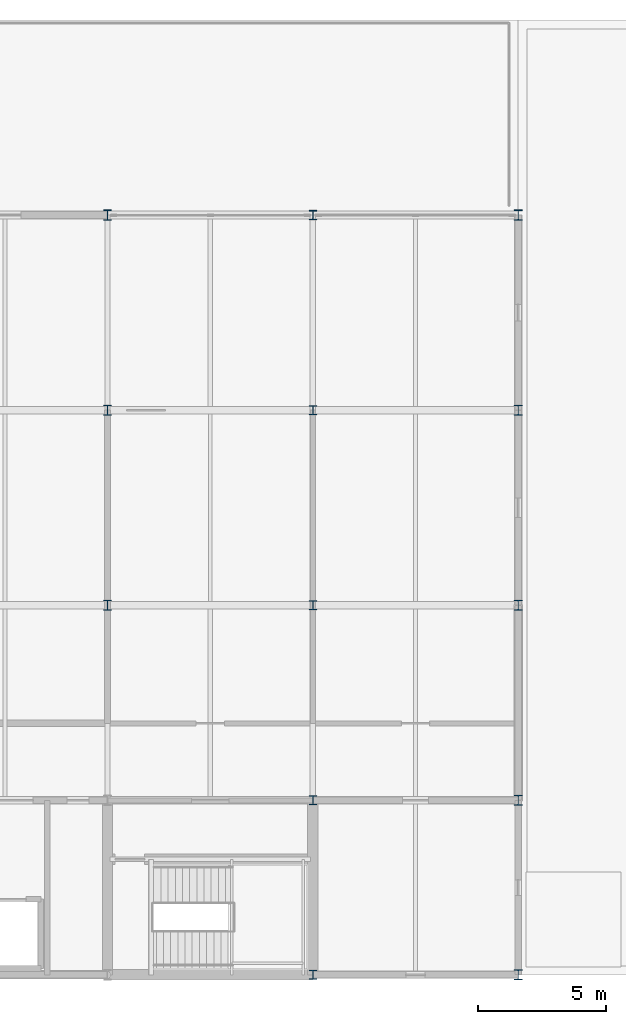
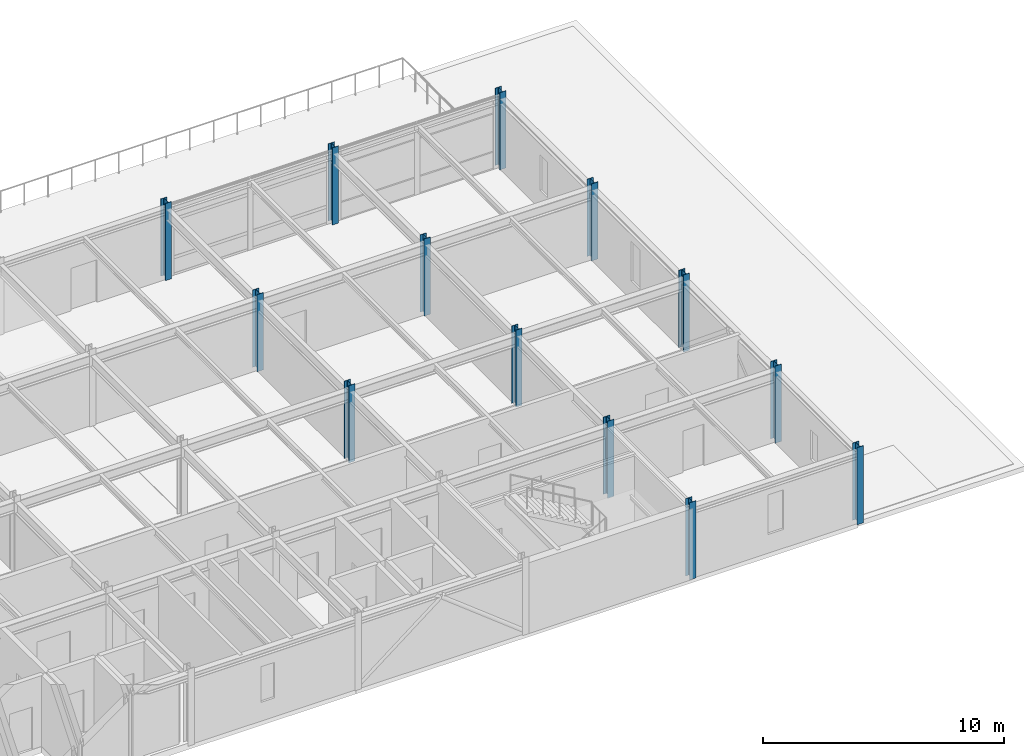
# One storey, part 2 of 12: 13 columns.
"""IFC4 building model written with IfcOpenShell, lengths in metres."""

from ifc_helpers import new_model, si_unit, direction, frame, origin, origin_2d, place, context, subcontext, project, spatial, i_section, extrude, material, material_profile, profile_set, type_object, element, save


model = new_model("IFC4")

# Units and contexts
model_context = context("Model", 3, precision=1e-05, world=origin(), true_north=direction((0.0, 1.0)))
body_context = subcontext(model_context, "Body", "Model", "MODEL_VIEW")
ifc_project = project(units=[si_unit("LENGTHUNIT", "METRE"), si_unit("AREAUNIT", "SQUARE_METRE"), si_unit("VOLUMEUNIT", "CUBIC_METRE"), si_unit("PLANEANGLEUNIT", "RADIAN"), si_unit("MASSUNIT", "GRAM", prefix="KILO")], contexts=[model_context])

# Site, building, storey
site_placement = place(None, origin())
site = spatial("IfcSite", under=ifc_project, at=site_placement, CompositionType="ELEMENT")
building_placement = place(site_placement, origin())
building = spatial("IfcBuilding", under=site, at=building_placement, Name="Shalkamar Park Central Library", CompositionType="ELEMENT")
storey_placement = place(building_placement, frame((0.0, 0.0, 56.10009765625)))
storey = spatial("IfcBuildingStorey", under=building, at=storey_placement, Name="L14", CompositionType="ELEMENT", Elevation=56.10009765625)

# Columns
ifc_material = material(Name="Steel S355", Category="steel")
ifc_material_profile_1 = material_profile(ifc_material, i_section(OverallWidth=0.300048828125, OverallDepth=0.360107421875, WebThickness=0.012451171875, FlangeThickness=0.0224609375, FilletRadius=0.027099609375, at=origin_2d()), Name="HEB 360")
ifc_profile_set_1 = profile_set([ifc_material_profile_1], Name="Steel S355")
column_type_1 = type_object("IfcColumnType", Name="Column Steel HEB360", PredefinedType="COLUMN", material=ifc_profile_set_1)
for number, where, z_axis, x_axis, name in (
    (1, (205.0, 248.39990234375, 0.0), (0.0, 0.0, 1.0), (1.0, 0.0, 0.0), "Column 12/B (L14)"),
    (2, (205.0, 255.199951171875, 0.0), (0.0, 0.0, 1.0), (1.0, 0.0, 0.0), "Column 12/C (L14)"),
    (3, (205.0, 262.800048828125, 0.0), (0.0, 0.0, 1.0), (1.0, 0.0, 0.0), "Column 12/D (L14)"),
    (4, (205.0, 270.39990234375, 0.0), (0.0, 0.0, 1.0), (1.0, 0.0, 0.0), "Column 12/E (L14)"),
    (5, (205.0, 278.0, 0.0), (0.0, 0.0, 1.0), (1.0, 0.0, 0.0), "Column 12/F (L14)"),
):
    element("IfcColumn", number, at=place(storey_placement, frame(where, z_axis=z_axis, x_axis=x_axis)), inside=storey, type_object=column_type_1, Name=name, PredefinedType="COLUMN", context=body_context, shape_type="SweptSolid", body=[
        extrude(i_section(OverallWidth=0.300048828125, OverallDepth=0.360107421875, WebThickness=0.012451171875, FlangeThickness=0.0224609375, FilletRadius=0.027099609375, at=origin_2d()), origin(), (0.0, 0.0, 1.0), 3.89990234375),
    ])
ifc_material_profile_2 = material_profile(ifc_material, i_section(OverallWidth=0.300048828125, OverallDepth=0.39990234375, WebThickness=0.013427734375, FlangeThickness=0.02392578125, FilletRadius=0.027099609375, at=origin_2d()), Name="HEB 400")
ifc_profile_set_2 = profile_set([ifc_material_profile_2], Name="Steel S355")
column_type_2 = type_object("IfcColumnType", Name="Column Steel HEB400", PredefinedType="COLUMN", material=ifc_profile_set_2)
for number, where, z_axis, x_axis, name in (
    (6, (197.0, 262.800048828125, 0.0), (0.0, 0.0, 1.0), (1.0, 0.0, 0.0), "Column 11/D (L14)"),
    (7, (197.0, 270.39990234375, 0.0), (0.0, 0.0, 1.0), (1.0, 0.0, 0.0), "Column 11/E (L14)"),
    (8, (197.0, 278.0, 0.0), (0.0, 0.0, 1.0), (1.0, 0.0, 0.0), "Column 11/F (L14)"),
    (9, (213.0, 248.39990234375, 0.0), (0.0, 0.0, 1.0), (1.0, 0.0, 0.0), "Column 13/B (L14)"),
    (10, (213.0, 255.199951171875, 0.0), (0.0, 0.0, 1.0), (1.0, 0.0, 0.0), "Column 13/C (L14)"),
    (11, (213.0, 262.800048828125, 0.0), (0.0, 0.0, 1.0), (1.0, 0.0, 0.0), "Column 13/D (L14)"),
    (12, (213.0, 270.39990234375, 0.0), (0.0, 0.0, 1.0), (1.0, 0.0, 0.0), "Column 13/E (L14)"),
    (13, (213.0, 278.0, 0.0), (0.0, 0.0, 1.0), (1.0, 0.0, 0.0), "Column 13/F (L14)"),
):
    element("IfcColumn", number, at=place(storey_placement, frame(where, z_axis=z_axis, x_axis=x_axis)), inside=storey, type_object=column_type_2, Name=name, PredefinedType="COLUMN", context=body_context, shape_type="SweptSolid", body=[
        extrude(i_section(OverallWidth=0.300048828125, OverallDepth=0.39990234375, WebThickness=0.013427734375, FlangeThickness=0.02392578125, FilletRadius=0.027099609375, at=origin_2d()), origin(), (0.0, 0.0, 1.0), 3.89990234375),
    ])

save(model, "model.ifc")
